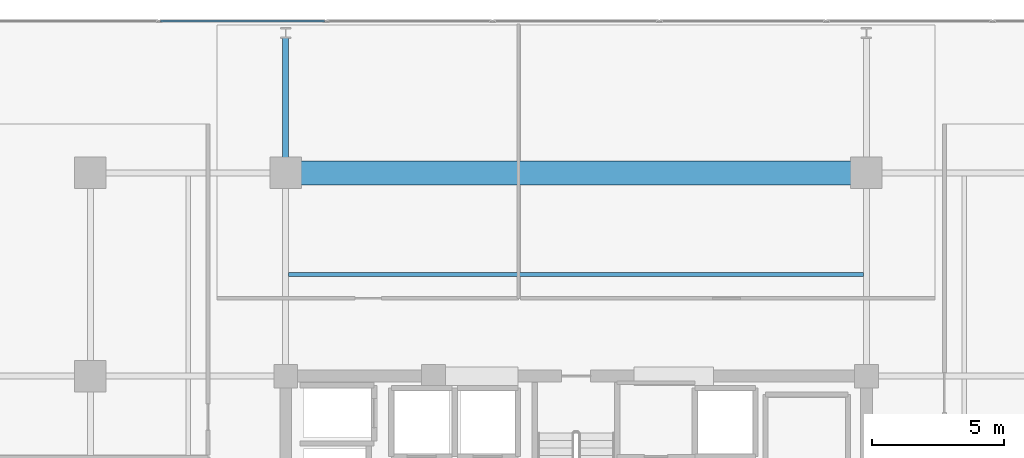
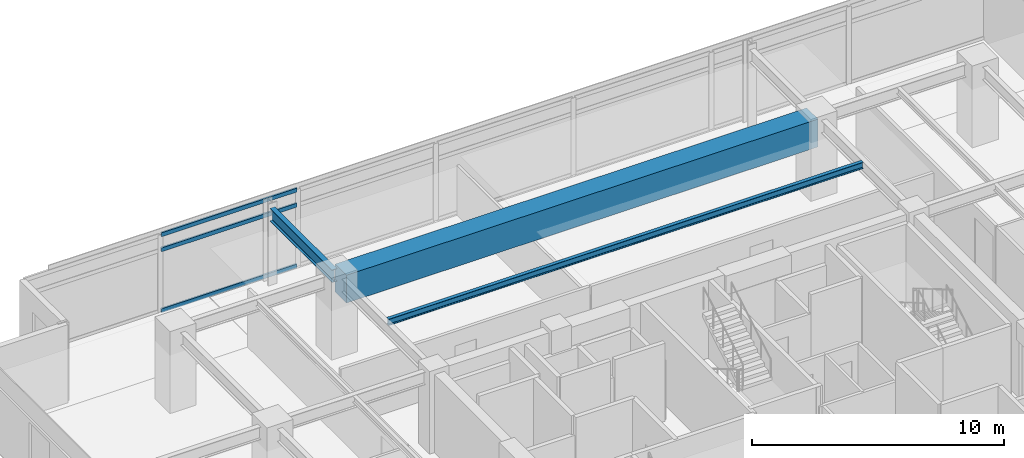
# One storey, part 10 of 24: 3 beams, 3 members, 1 element without a shape of its own.
"""IFC4 building model written with IfcOpenShell, lengths in metres."""

from ifc_helpers import new_model, si_unit, direction, frame, origin, origin_2d, place, context, subcontext, project, spatial, rectangle, hollow_rectangle, i_section, extrude, material, material_profile, profile_set, type_object, element, aggregate, save


model = new_model("IFC4")

# Units and contexts
model_context = context("Model", 3, precision=1e-05, world=origin(), true_north=direction((0.0, 1.0)))
body_context = subcontext(model_context, "Body", "Model", "MODEL_VIEW")
ifc_project = project(units=[si_unit("LENGTHUNIT", "METRE"), si_unit("AREAUNIT", "SQUARE_METRE"), si_unit("VOLUMEUNIT", "CUBIC_METRE"), si_unit("PLANEANGLEUNIT", "RADIAN"), si_unit("MASSUNIT", "GRAM", prefix="KILO")], contexts=[model_context])

# Site, building, storey
site_placement = place(None, origin())
site = spatial("IfcSite", under=ifc_project, at=site_placement, CompositionType="ELEMENT")
building_placement = place(site_placement, origin())
building = spatial("IfcBuilding", under=site, at=building_placement, Name="Kovane Verandah Tower", CompositionType="ELEMENT")
storey_placement = place(building_placement, frame((0.0, 0.0, 271.199951171875)))
storey = spatial("IfcBuildingStorey", under=building, at=storey_placement, Name="L63", CompositionType="ELEMENT", Elevation=271.199951171875)

# Beams
ifc_material_1 = material(Name="Concrete C80/95", Category="concrete")
ifc_material_profile_1 = material_profile(ifc_material_1, rectangle(XDim=0.89990234375, YDim=1.35009765625, at=origin_2d()), Name="RCB900x1350")
ifc_profile_set_1 = profile_set([ifc_material_profile_1], Name="Concrete C80/95")
beam_type_1 = type_object("IfcBeamType", Name="BM-TR-900x1350", PredefinedType="BEAM", material=ifc_profile_set_1)
beam_1_placement = place(storey_placement, frame((29.179931640625, 44.199951171875, 3.110107421875), z_axis=(1.0, 0.0, 0.0), x_axis=(0.0, 1.0, 0.0)))
element("IfcBeam", 1, at=beam_1_placement, inside=storey, type_object=beam_type_1, Name="L63 Primary Tower Girder G-RN2", PredefinedType="BEAM", context=body_context, shape_type="SweptSolid", body=[
    extrude(rectangle(XDim=0.89990234375, YDim=1.35009765625, at=origin_2d()), origin(), (0.0, 0.0, 1.0), 21.64013671875),
])
ifc_material_2 = material(Name="Steel S355", Category="steel")
ifc_material_profile_2 = material_profile(ifc_material_2, i_section(OverallWidth=0.230224609375, OverallDepth=0.6171875, WebThickness=0.01318359375, FlangeThickness=0.022216796875, FilletRadius=0.0126953125, at=origin_2d()), Name="UB610x229x140")
ifc_profile_set_2 = profile_set([ifc_material_profile_2], Name="Steel S355")
beam_type_2 = type_object("IfcBeamType", Name="BM-UB610x140", PredefinedType="BEAM", material=ifc_profile_set_2)
beam_2_placement = place(storey_placement, frame((29.0, 44.3798828125, 3.451416015625), z_axis=(0.0, 1.0, 0.0), x_axis=(-1.0, 0.0, 0.0)))
element("IfcBeam", 2, at=beam_2_placement, inside=storey, type_object=beam_type_2, Name="L63 Primary Tower Girder G-VN1", PredefinedType="BEAM", context=body_context, shape_type="SweptSolid", body=[
    extrude(i_section(OverallWidth=0.230224609375, OverallDepth=0.6171875, WebThickness=0.01318359375, FlangeThickness=0.022216796875, FilletRadius=0.0126953125, at=origin_2d()), origin(), (0.0, 0.0, 1.0), 4.940185546875),
])

# Curtain wall, members
ifc_material_3 = material(Name="Champagne Anodised Aluminium Frame with Low-E Clear Laminated Glass", Category="aluminium")
curtain_wall_type = type_object("IfcCurtainWallType", Name="CW-SYS-05-HIGH", PredefinedType="NOTDEFINED", material=ifc_material_3)
curtain_wall_placement = place(storey_placement, origin())
curtain_wall = element("IfcCurtainWall", 3, at=curtain_wall_placement, inside=storey, type_object=curtain_wall_type, Name="L63 N Unitised Curtain Wall", PredefinedType="NOTDEFINED")
ifc_material_4 = material(Name="Champagne Anodised Aluminium 6063-T6", Category="aluminium")
ifc_material_profile_3 = material_profile(ifc_material_4, hollow_rectangle(XDim=0.0849609375, YDim=0.18994140625, WallThickness=0.00390625, at=origin_2d()), Name="AL85x190x4")
ifc_profile_set_3 = profile_set([ifc_material_profile_3], Name="Champagne Anodised Aluminium 6063-T6")
member_type = type_object("IfcMemberType", Name="CW-TRN-85x190", PredefinedType="USERDEFINED", material=ifc_profile_set_3)
member_1_placement = place(storey_placement, frame((30.4755859375, 49.94970703125, 0.050048828125), z_axis=(-1.0, 0.0, 0.0), x_axis=(0.0, -1.0, 0.0)))
member_1 = element("IfcMember", 4, at=member_1_placement, type_object=member_type, Name="L63 N Unitised Curtain Wall Transom TB Bay 6", ObjectType="TRANSOM", PredefinedType="USERDEFINED", context=body_context, shape_type="SweptSolid", body=[
    extrude(hollow_rectangle(XDim=0.0849609375, YDim=0.18994140625, WallThickness=0.00390625, at=origin_2d()), origin(), (0.0, 0.0, 1.0), 6.216552734375),
])
member_2_placement = place(storey_placement, frame((30.4755859375, 49.94970703125, 3.005126953125), z_axis=(-1.0, 0.0, 0.0), x_axis=(0.0, -1.0, 0.0)))
member_2 = element("IfcMember", 5, at=member_2_placement, type_object=member_type, Name="L63 N Unitised Curtain Wall Transom TM Bay 6", ObjectType="TRANSOM", PredefinedType="USERDEFINED", context=body_context, shape_type="SweptSolid", body=[
    extrude(hollow_rectangle(XDim=0.0849609375, YDim=0.18994140625, WallThickness=0.00390625, at=origin_2d()), origin(), (0.0, 0.0, 1.0), 6.216552734375),
])
member_3_placement = place(storey_placement, frame((30.4755859375, 49.94970703125, 3.735107421875), z_axis=(-1.0, 0.0, 0.0), x_axis=(0.0, -1.0, 0.0)))
member_3 = element("IfcMember", 6, at=member_3_placement, type_object=member_type, Name="L63 N Unitised Curtain Wall Transom TT Bay 6", ObjectType="TRANSOM", PredefinedType="USERDEFINED", context=body_context, shape_type="SweptSolid", body=[
    extrude(hollow_rectangle(XDim=0.0849609375, YDim=0.18994140625, WallThickness=0.00390625, at=origin_2d()), origin(), (0.0, 0.0, 1.0), 6.216552734375),
])
aggregate(curtain_wall, [member_1, member_2, member_3])

# Beam
ifc_material_profile_4 = material_profile(ifc_material_2, i_section(OverallWidth=0.1669921875, OverallDepth=0.310302734375, WebThickness=0.0078125, FlangeThickness=0.013671875, FilletRadius=0.0087890625, at=origin_2d()), Name="UB305x165x54")
ifc_profile_set_4 = profile_set([ifc_material_profile_4], Name="Steel S355")
beam_type_3 = type_object("IfcBeamType", Name="JST-UB305x54", PredefinedType="JOIST", material=ifc_profile_set_4)
beam_3_placement = place(storey_placement, frame((29.113037109375, 40.35009765625, 3.6298828125), z_axis=(1.0, 0.0, 0.0), x_axis=(0.0, 1.0, 0.0)))
element("IfcBeam", 7, at=beam_3_placement, inside=storey, type_object=beam_type_3, Name="L63 Secondary Composite Joist J-N1", PredefinedType="JOIST", context=body_context, shape_type="SweptSolid", body=[
    extrude(i_section(OverallWidth=0.1669921875, OverallDepth=0.310302734375, WebThickness=0.0078125, FlangeThickness=0.013671875, FilletRadius=0.0087890625, at=origin_2d()), origin(), (0.0, 0.0, 1.0), 21.77392578125),
])

save(model, "model.ifc")
